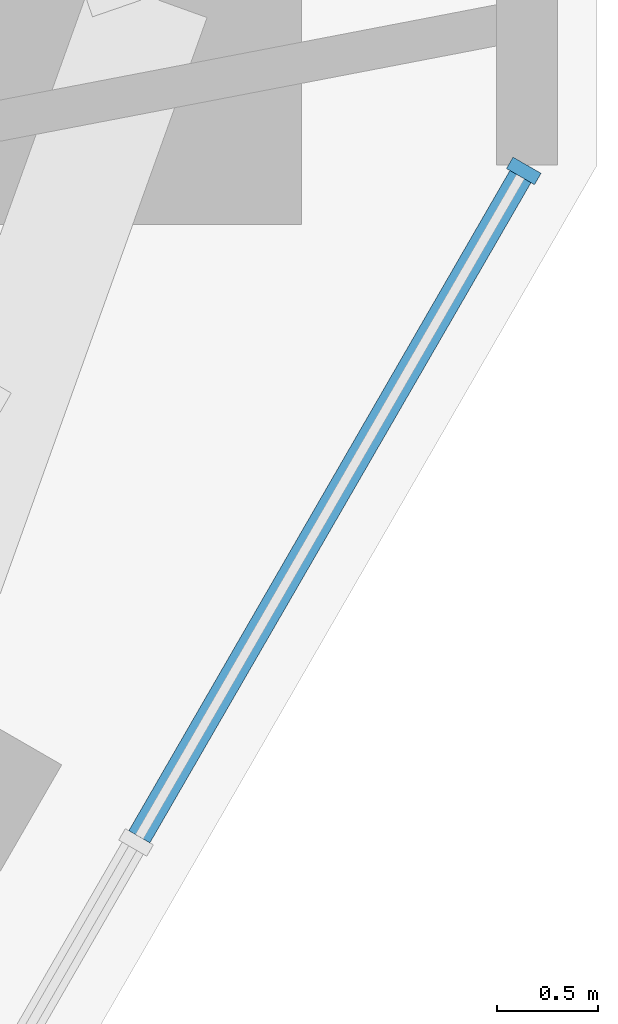
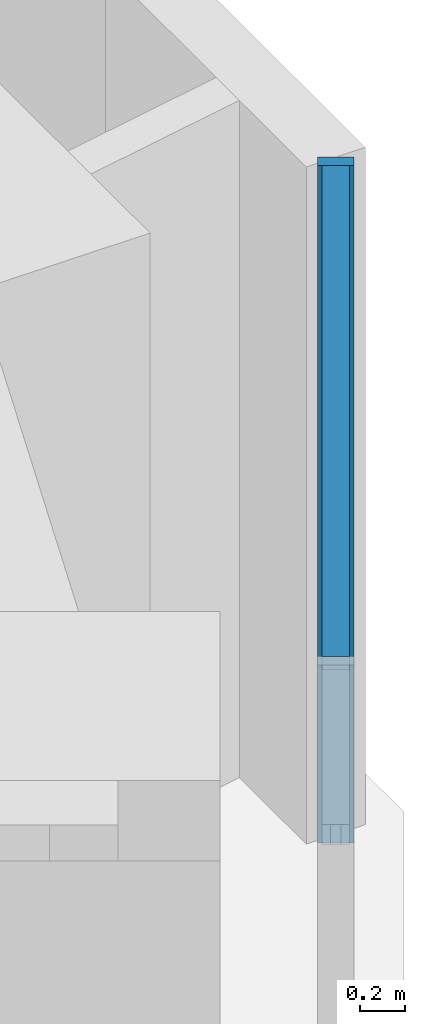
# One storey, part 6 of 16: 2 members, 1 element without a shape of its own.
"""IFC4 building model written with IfcOpenShell, lengths in metres."""

from ifc_helpers import new_model, si_unit, direction, frame, origin, origin_2d, place, context, subcontext, project, spatial, rectangle, extrude, material, material_profile, profile_set, type_object, element, aggregate, save


model = new_model("IFC4")

# Units and contexts
model_context = context("Model", 3, precision=1e-05, world=origin(), true_north=direction((0.0, 1.0)))
body_context = subcontext(model_context, "Body", "Model", "MODEL_VIEW")
ifc_project = project(units=[si_unit("LENGTHUNIT", "METRE"), si_unit("AREAUNIT", "SQUARE_METRE"), si_unit("VOLUMEUNIT", "CUBIC_METRE"), si_unit("PLANEANGLEUNIT", "RADIAN"), si_unit("MASSUNIT", "GRAM", prefix="KILO")], contexts=[model_context])

# Site, building, storey
site_placement = place(None, origin())
site = spatial("IfcSite", under=ifc_project, at=site_placement, CompositionType="ELEMENT")
building_placement = place(site_placement, origin())
building = spatial("IfcBuilding", under=site, at=building_placement, Name="Sandreach Pilgrim Tower", CompositionType="ELEMENT")
storey_placement = place(building_placement, frame((0.0, 0.0, 225.0)))
storey = spatial("IfcBuildingStorey", under=building, at=storey_placement, Name="L56", CompositionType="ELEMENT", Elevation=225.0)

# Curtain wall, members
ifc_material_1 = material(Name="Aluminium framed curtain wall", Category="aluminium")
curtain_wall_type = type_object("IfcCurtainWallType", Name="Upper hotel tower curtain wall", PredefinedType="NOTDEFINED", material=ifc_material_1)
curtain_wall_placement = place(storey_placement, origin())
curtain_wall = element("IfcCurtainWall", 1, at=curtain_wall_placement, inside=storey, type_object=curtain_wall_type, Name="CW-3 L56 SE", PredefinedType="NOTDEFINED")
ifc_material_2 = material(Name="Aluminium extrusion", Category="aluminium")
ifc_material_profile_1 = material_profile(ifc_material_2, rectangle(XDim=0.06494140625, YDim=0.159912109375, at=origin_2d()), Name="CW-3M 65X160")
ifc_profile_set_1 = profile_set([ifc_material_profile_1], Name="Aluminium extrusion")
member_type_1 = type_object("IfcMemberType", Name="CW-3 mullion", PredefinedType="MULLION", material=ifc_profile_set_1)
member_1_placement = place(storey_placement, frame((27.00390625, 4.451904296875, 0.0), z_axis=(0.0, 0.0, 1.0), x_axis=(-0.5, -0.866025403784, 0.0)))
member_1 = element("IfcMember", 2, at=member_1_placement, type_object=member_type_1, Name="CW-3 mullion 1", PredefinedType="MULLION", context=body_context, shape_type="SweptSolid", body=[
    extrude(rectangle(XDim=0.06494140625, YDim=0.159912109375, at=origin_2d()), origin(), (0.0, 0.0, 1.0), 3.639892578125),
])
ifc_material_3 = material(Name="Aluminium extrusion", Category="aluminium")
ifc_material_profile_2 = material_profile(ifc_material_3, rectangle(XDim=0.1201171875, YDim=0.070068359375, at=origin_2d()), Name="CW-3T 120X70")
ifc_profile_set_2 = profile_set([ifc_material_profile_2], Name="Aluminium extrusion")
member_type_2 = type_object("IfcMemberType", Name="CW-3 transom", PredefinedType="USERDEFINED", material=ifc_profile_set_2)
member_2_placement = place(storey_placement, frame((26.987548828125, 4.423828125, 3.60498046875), z_axis=(-0.499944992379, -0.86605716012, 0.0), x_axis=(0.86605716012, -0.499944992379, 0.0)))
member_2 = element("IfcMember", 3, at=member_2_placement, type_object=member_type_2, Name="CW-3 head transom 1", ObjectType="TRANSOM", PredefinedType="USERDEFINED", context=body_context, shape_type="SweptSolid", body=[
    extrude(rectangle(XDim=0.1201171875, YDim=0.070068359375, at=origin_2d()), origin(), (0.0, 0.0, 1.0), 3.76708984375),
])
aggregate(curtain_wall, [member_1, member_2])

save(model, "model.ifc")
